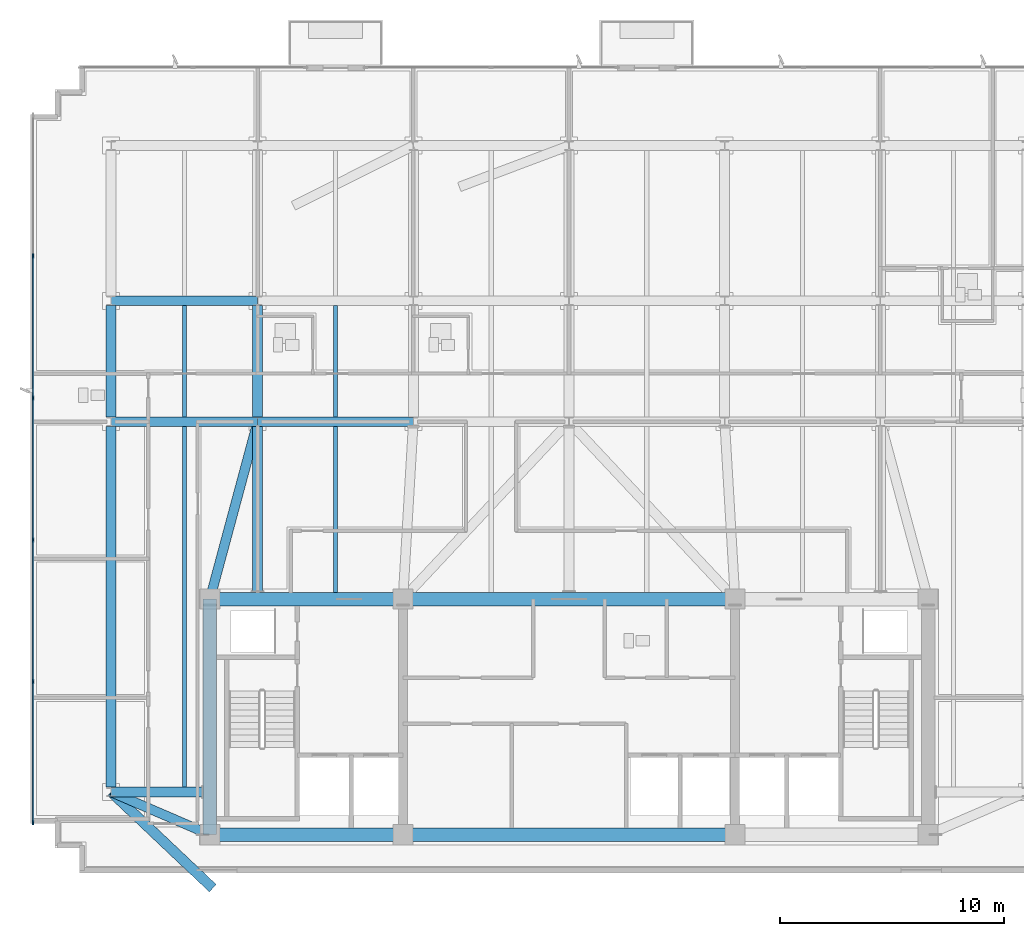
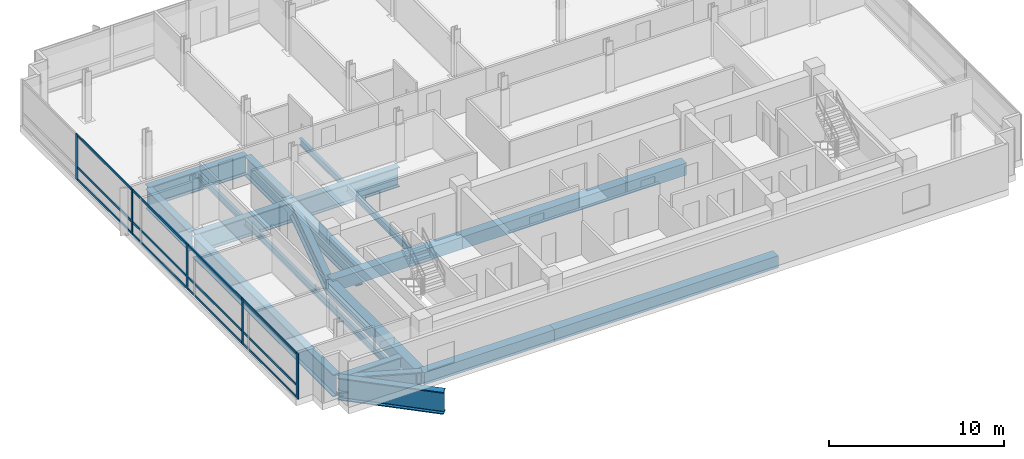
# One storey, part 2 of 16: 20 beams, 17 members, 1 element without a shape of its own.
"""IFC4 building model written with IfcOpenShell, lengths in metres."""

from ifc_helpers import new_model, si_unit, direction, frame, origin, origin_2d, place, context, subcontext, project, spatial, rectangle, i_section, extrude, material, material_profile, profile_set, type_object, element, aggregate, save


model = new_model("IFC4")

# Units and contexts
model_context = context("Model", 3, precision=1e-05, world=origin(), true_north=direction((0.0, 1.0)))
body_context = subcontext(model_context, "Body", "Model", "MODEL_VIEW")
ifc_project = project(units=[si_unit("LENGTHUNIT", "METRE"), si_unit("AREAUNIT", "SQUARE_METRE"), si_unit("VOLUMEUNIT", "CUBIC_METRE"), si_unit("PLANEANGLEUNIT", "RADIAN"), si_unit("MASSUNIT", "GRAM", prefix="KILO")], contexts=[model_context])

# Site, building, storey
site_placement = place(None, origin())
site = spatial("IfcSite", under=ifc_project, at=site_placement, CompositionType="ELEMENT")
building_placement = place(site_placement, origin())
building = spatial("IfcBuilding", under=site, at=building_placement, Name="Solmavex Isthmus Hotel", CompositionType="ELEMENT")
storey_placement = place(building_placement, frame((0.0, 0.0, 245.39990234375)))
storey = spatial("IfcBuildingStorey", under=building, at=storey_placement, Name="L66", CompositionType="ELEMENT", Elevation=245.39990234375)

# Beams
ifc_material_1 = material(Name="Steel ASTM A992 Grade 50", Category="steel")
ifc_material_profile_1 = material_profile(ifc_material_1, i_section(OverallWidth=0.1904296875, OverallDepth=0.456787109375, WebThickness=0.009033203125, FlangeThickness=0.014404296875, FilletRadius=0.0126953125, at=origin_2d()), Name="W18X50")
ifc_profile_set_1 = profile_set([ifc_material_profile_1], Name="Steel ASTM A992 Grade 50")
beam_type_1 = type_object("IfcBeamType", Name="BM-BJ-W18X50", PredefinedType="JOIST", material=ifc_profile_set_1)
beam_1_placement = place(storey_placement, frame((-17.135986328125, -10.8798828125, -0.678466796875), z_axis=(0.0, 1.0, 0.0), x_axis=(-1.0, 0.0, 0.0)))
element("IfcBeam", 1, at=beam_1_placement, inside=storey, type_object=beam_type_1, Name="Secondary Floor Joist L66-J01", PredefinedType="JOIST", context=body_context, shape_type="SweptSolid", body=[
    extrude(i_section(OverallWidth=0.1904296875, OverallDepth=0.456787109375, WebThickness=0.009033203125, FlangeThickness=0.014404296875, FilletRadius=0.0126953125, at=origin_2d()), origin(), (0.0, 0.0, 1.0), 16.059814453125),
])
beam_2_placement = place(storey_placement, frame((-17.135986328125, 5.6201171875, -0.678466796875), z_axis=(0.0, 1.0, 0.0), x_axis=(-1.0, 0.0, 0.0)))
element("IfcBeam", 2, at=beam_2_placement, inside=storey, type_object=beam_type_1, Name="Secondary Floor Joist L66-J02", PredefinedType="JOIST", context=body_context, shape_type="SweptSolid", body=[
    extrude(i_section(OverallWidth=0.1904296875, OverallDepth=0.456787109375, WebThickness=0.009033203125, FlangeThickness=0.014404296875, FilletRadius=0.0126953125, at=origin_2d()), origin(), (0.0, 0.0, 1.0), 4.947998046875),
])
beam_3_placement = place(storey_placement, frame((-10.404052734375, -2.199951171875, -0.678466796875), z_axis=(0.0, 1.0, 0.0), x_axis=(-1.0, 0.0, 0.0)))
element("IfcBeam", 3, at=beam_3_placement, inside=storey, type_object=beam_type_1, Name="Secondary Floor Joist L66-J04", PredefinedType="JOIST", context=body_context, shape_type="SweptSolid", body=[
    extrude(i_section(OverallWidth=0.1904296875, OverallDepth=0.456787109375, WebThickness=0.009033203125, FlangeThickness=0.014404296875, FilletRadius=0.0126953125, at=origin_2d()), origin(), (0.0, 0.0, 1.0), 7.3798828125),
])
beam_4_placement = place(storey_placement, frame((-10.404052734375, 5.6201171875, -0.678466796875), z_axis=(0.0, 1.0, 0.0), x_axis=(-1.0, 0.0, 0.0)))
element("IfcBeam", 4, at=beam_4_placement, inside=storey, type_object=beam_type_1, Name="Secondary Floor Joist L66-J05", PredefinedType="JOIST", context=body_context, shape_type="SweptSolid", body=[
    extrude(i_section(OverallWidth=0.1904296875, OverallDepth=0.456787109375, WebThickness=0.009033203125, FlangeThickness=0.014404296875, FilletRadius=0.0126953125, at=origin_2d()), origin(), (0.0, 0.0, 1.0), 4.947998046875),
])
ifc_material_2 = material(Name="Concrete C50/60", Category="concrete")
ifc_material_profile_2 = material_profile(ifc_material_2, rectangle(XDim=0.60009765625, YDim=0.85009765625, at=origin_2d()), Name="RC600X850")
ifc_profile_set_2 = profile_set([ifc_material_profile_2], Name="Concrete C50/60")
beam_type_2 = type_object("IfcBeamType", Name="BM-CB-600X850", PredefinedType="BEAM", material=ifc_profile_set_2)
beam_5_placement = place(storey_placement, frame((-16.0, -13.0, -0.875), z_axis=(1.0, 0.0, 0.0), x_axis=(0.0, 1.0, 0.0)))
element("IfcBeam", 5, at=beam_5_placement, inside=storey, type_object=beam_type_2, Name="Core Coupling Beam L66-CB1", PredefinedType="BEAM", context=body_context, shape_type="SweptSolid", body=[
    extrude(rectangle(XDim=0.60009765625, YDim=0.85009765625, at=origin_2d()), origin(), (0.0, 0.0, 1.0), 8.60009765625),
])
beam_6_placement = place(storey_placement, frame((-7.39990234375, -13.0, -0.875), z_axis=(1.0, 0.0, 0.0), x_axis=(0.0, 1.0, 0.0)))
element("IfcBeam", 6, at=beam_6_placement, inside=storey, type_object=beam_type_2, Name="Core Coupling Beam L66-CB2", PredefinedType="BEAM", context=body_context, shape_type="SweptSolid", body=[
    extrude(rectangle(XDim=0.60009765625, YDim=0.85009765625, at=origin_2d()), origin(), (0.0, 0.0, 1.0), 14.7998046875),
])
beam_7_placement = place(storey_placement, frame((-16.0, -2.5, -0.764892578125), z_axis=(1.0, 0.0, 0.0), x_axis=(0.0, 1.0, 0.0)))
element("IfcBeam", 7, at=beam_7_placement, inside=storey, type_object=beam_type_2, Name="Core Coupling Beam L66-CB4", PredefinedType="BEAM", context=body_context, shape_type="SweptSolid", body=[
    extrude(rectangle(XDim=0.60009765625, YDim=0.85009765625, at=origin_2d()), origin(), (0.0, 0.0, 1.0), 8.60009765625),
])
beam_8_placement = place(storey_placement, frame((-7.39990234375, -2.5, -0.764892578125), z_axis=(1.0, 0.0, 0.0), x_axis=(0.0, 1.0, 0.0)))
element("IfcBeam", 8, at=beam_8_placement, inside=storey, type_object=beam_type_2, Name="Core Coupling Beam L66-CB5", PredefinedType="BEAM", context=body_context, shape_type="SweptSolid", body=[
    extrude(rectangle(XDim=0.60009765625, YDim=0.85009765625, at=origin_2d()), origin(), (0.0, 0.0, 1.0), 14.7998046875),
])
beam_9_placement = place(storey_placement, frame((-16.0, -13.0, -0.875), z_axis=(0.0, 1.0, 0.0), x_axis=(-1.0, 0.0, 0.0)))
element("IfcBeam", 9, at=beam_9_placement, inside=storey, type_object=beam_type_2, Name="Core Coupling Beam L66-CB7", PredefinedType="BEAM", context=body_context, shape_type="SweptSolid", body=[
    extrude(rectangle(XDim=0.60009765625, YDim=0.85009765625, at=origin_2d()), origin(), (0.0, 0.0, 1.0), 10.5),
])
ifc_material_3 = material(Name="Steel ASTM A572 Grade 50", Category="steel")
ifc_material_profile_3 = material_profile(ifc_material_3, i_section(OverallWidth=0.449951171875, OverallDepth=1.550048828125, WebThickness=0.031982421875, FlangeThickness=0.06494140625, FilletRadius=0.030517578125, at=origin_2d()), Name="I1550X450")
ifc_profile_set_3 = profile_set([ifc_material_profile_3], Name="Steel ASTM A572 Grade 50")
beam_type_3 = type_object("IfcBeamType", Name="BM-TB-G1550", PredefinedType="BEAM", material=ifc_profile_set_3)
beam_10_placement = place(storey_placement, frame((-15.87255859375, -15.38330078125, -1.224853515625), z_axis=(-0.726421903158, 0.687249022271, 0.0), x_axis=(-0.687249022271, -0.726421903158, 0.0)))
element("IfcBeam", 10, at=beam_10_placement, inside=storey, type_object=beam_type_3, Name="Core Outrigger Strut L65-OTK1", PredefinedType="BEAM", context=body_context, shape_type="SweptSolid", body=[
    extrude(i_section(OverallWidth=0.449951171875, OverallDepth=1.550048828125, WebThickness=0.031982421875, FlangeThickness=0.06494140625, FilletRadius=0.030517578125, at=origin_2d()), origin(), (0.0, 0.0, 1.0), 6.232421875),
])
beam_11_placement = place(storey_placement, frame((-20.39990234375, -10.8798828125, -1.224853515625), z_axis=(0.0, 1.0, 0.0), x_axis=(-1.0, 0.0, 0.0)))
element("IfcBeam", 11, at=beam_11_placement, inside=storey, type_object=beam_type_3, Name="Outrigger Collector Beam L66-VG21", PredefinedType="BEAM", context=body_context, shape_type="SweptSolid", body=[
    extrude(i_section(OverallWidth=0.449951171875, OverallDepth=1.550048828125, WebThickness=0.031982421875, FlangeThickness=0.06494140625, FilletRadius=0.030517578125, at=origin_2d()), origin(), (0.0, 0.0, 1.0), 16.059814453125),
])
ifc_material_4 = material(Name="Steel ASTM A913 Grade 65", Category="steel")
ifc_material_profile_4 = material_profile(ifc_material_4, i_section(OverallWidth=0.42431640625, OverallDepth=1.09228515625, WebThickness=0.04541015625, FlangeThickness=0.08203125, FilletRadius=0.030517578125, at=origin_2d()), Name="W40X593")
ifc_profile_set_4 = profile_set([ifc_material_profile_4], Name="Steel ASTM A913 Grade 65")
beam_type_4 = type_object("IfcBeamType", Name="BM-TB-W40X397", PredefinedType="BEAM", material=ifc_profile_set_4)
beam_12_placement = place(storey_placement, frame((-16.0, -2.5, -0.99609375), z_axis=(0.260091187773, 0.965584058507, 0.0), x_axis=(-0.965584058507, 0.260091187773, 0.0)))
element("IfcBeam", 12, at=beam_12_placement, inside=storey, type_object=beam_type_4, Name="Core Outrigger Strut L65-OTNW", PredefinedType="BEAM", context=body_context, shape_type="SweptSolid", body=[
    extrude(i_section(OverallWidth=0.42431640625, OverallDepth=1.09228515625, WebThickness=0.04541015625, FlangeThickness=0.08203125, FilletRadius=0.030517578125, at=origin_2d()), origin(), (0.0, 0.0, 1.0), 8.181396484375),
])
beam_13_placement = place(storey_placement, frame((-16.0, -13.0, -0.99609375), z_axis=(-0.918066567186, 0.396426258231, 0.0), x_axis=(-0.396426258231, -0.918066567186, 0.0)))
element("IfcBeam", 13, at=beam_13_placement, inside=storey, type_object=beam_type_4, Name="Core Outrigger Strut L65-OTSW", PredefinedType="BEAM", context=body_context, shape_type="SweptSolid", body=[
    extrude(i_section(OverallWidth=0.42431640625, OverallDepth=1.09228515625, WebThickness=0.04541015625, FlangeThickness=0.08203125, FilletRadius=0.030517578125, at=origin_2d()), origin(), (0.0, 0.0, 1.0), 4.79248046875),
])
ifc_material_profile_5 = material_profile(ifc_material_3, i_section(OverallWidth=0.43994140625, OverallDepth=1.3798828125, WebThickness=0.030029296875, FlangeThickness=0.054931640625, FilletRadius=0.030517578125, at=origin_2d()), Name="I1380X440")
ifc_profile_set_5 = profile_set([ifc_material_profile_5], Name="Steel ASTM A572 Grade 50")
beam_type_5 = type_object("IfcBeamType", Name="BM-TG-I1380", PredefinedType="BEAM", material=ifc_profile_set_5)
beam_14_placement = place(storey_placement, frame((-20.39990234375, -11.10009765625, -1.139892578125), z_axis=(1.0, 0.0, 0.0), x_axis=(0.0, 1.0, 0.0)))
element("IfcBeam", 14, at=beam_14_placement, inside=storey, type_object=beam_type_5, Name="Outrigger Collector Girder L66-UG01", PredefinedType="BEAM", context=body_context, shape_type="SweptSolid", body=[
    extrude(i_section(OverallWidth=0.43994140625, OverallDepth=1.3798828125, WebThickness=0.030029296875, FlangeThickness=0.054931640625, FilletRadius=0.030517578125, at=origin_2d()), origin(), (0.0, 0.0, 1.0), 4.099853515625),
])
beam_15_placement = place(storey_placement, frame((-20.39990234375, 5.39990234375, -1.139892578125), z_axis=(1.0, 0.0, 0.0), x_axis=(0.0, 1.0, 0.0)))
element("IfcBeam", 15, at=beam_15_placement, inside=storey, type_object=beam_type_5, Name="Outrigger Collector Girder L66-UG03", PredefinedType="BEAM", context=body_context, shape_type="SweptSolid", body=[
    extrude(i_section(OverallWidth=0.43994140625, OverallDepth=1.3798828125, WebThickness=0.030029296875, FlangeThickness=0.054931640625, FilletRadius=0.030517578125, at=origin_2d()), origin(), (0.0, 0.0, 1.0), 6.52783203125),
])
beam_16_placement = place(storey_placement, frame((-13.8720703125, 5.39990234375, -1.139892578125), z_axis=(1.0, 0.0, 0.0), x_axis=(0.0, 1.0, 0.0)))
element("IfcBeam", 16, at=beam_16_placement, inside=storey, type_object=beam_type_5, Name="Outrigger Collector Girder L66-UG04", PredefinedType="BEAM", context=body_context, shape_type="SweptSolid", body=[
    extrude(i_section(OverallWidth=0.43994140625, OverallDepth=1.3798828125, WebThickness=0.030029296875, FlangeThickness=0.054931640625, FilletRadius=0.030517578125, at=origin_2d()), origin(), (0.0, 0.0, 1.0), 6.93603515625),
])
beam_17_placement = place(storey_placement, frame((-20.39990234375, 10.7880859375, -1.139892578125), z_axis=(1.0, 0.0, 0.0), x_axis=(0.0, 1.0, 0.0)))
element("IfcBeam", 17, at=beam_17_placement, inside=storey, type_object=beam_type_5, Name="Outrigger Collector Girder L66-UG09", PredefinedType="BEAM", context=body_context, shape_type="SweptSolid", body=[
    extrude(i_section(OverallWidth=0.43994140625, OverallDepth=1.3798828125, WebThickness=0.030029296875, FlangeThickness=0.054931640625, FilletRadius=0.030517578125, at=origin_2d()), origin(), (0.0, 0.0, 1.0), 6.52783203125),
])
beam_18_placement = place(storey_placement, frame((-20.39990234375, 5.6201171875, -1.139892578125), z_axis=(0.0, 1.0, 0.0), x_axis=(-1.0, 0.0, 0.0)))
element("IfcBeam", 18, at=beam_18_placement, inside=storey, type_object=beam_type_5, Name="Outrigger Collector Beam L66-VG22", PredefinedType="BEAM", context=body_context, shape_type="SweptSolid", body=[
    extrude(i_section(OverallWidth=0.43994140625, OverallDepth=1.3798828125, WebThickness=0.030029296875, FlangeThickness=0.054931640625, FilletRadius=0.030517578125, at=origin_2d()), origin(), (0.0, 0.0, 1.0), 4.947998046875),
])
beam_19_placement = place(storey_placement, frame((-13.8720703125, -2.199951171875, -1.139892578125), z_axis=(0.0, 1.0, 0.0), x_axis=(-1.0, 0.0, 0.0)))
element("IfcBeam", 19, at=beam_19_placement, inside=storey, type_object=beam_type_5, Name="Outrigger Collector Beam L66-VG24", PredefinedType="BEAM", context=body_context, shape_type="SweptSolid", body=[
    extrude(i_section(OverallWidth=0.43994140625, OverallDepth=1.3798828125, WebThickness=0.030029296875, FlangeThickness=0.054931640625, FilletRadius=0.030517578125, at=origin_2d()), origin(), (0.0, 0.0, 1.0), 7.3798828125),
])
beam_20_placement = place(storey_placement, frame((-13.8720703125, 5.6201171875, -1.139892578125), z_axis=(0.0, 1.0, 0.0), x_axis=(-1.0, 0.0, 0.0)))
element("IfcBeam", 20, at=beam_20_placement, inside=storey, type_object=beam_type_5, Name="Outrigger Collector Beam L66-VG25", PredefinedType="BEAM", context=body_context, shape_type="SweptSolid", body=[
    extrude(i_section(OverallWidth=0.43994140625, OverallDepth=1.3798828125, WebThickness=0.030029296875, FlangeThickness=0.054931640625, FilletRadius=0.030517578125, at=origin_2d()), origin(), (0.0, 0.0, 1.0), 4.947998046875),
])

# Curtain wall, members
ifc_material_5 = material(Name="Aluminium alloy 6063-T6", Category="aluminium")
curtain_wall_type = type_object("IfcCurtainWallType", Name="CW-SYS-04", PredefinedType="NOTDEFINED", material=ifc_material_5)
curtain_wall_placement = place(storey_placement, origin())
curtain_wall = element("IfcCurtainWall", 21, at=curtain_wall_placement, inside=storey, type_object=curtain_wall_type, Name="Stick Curtain Wall CWL-L66-W1", PredefinedType="NOTDEFINED")
ifc_material_profile_6 = material_profile(ifc_material_5, rectangle(XDim=0.074951171875, YDim=0.199951171875, at=origin_2d()), Name="CWM-75X200")
ifc_profile_set_6 = profile_set([ifc_material_profile_6], Name="Aluminium alloy 6063-T6")
member_type_1 = type_object("IfcMemberType", Name="CW-SYS-04-MUL", PredefinedType="MULLION", material=ifc_profile_set_6)
member_1_placement = place(storey_placement, frame((-23.8798828125, -12.46240234375, 0.0), z_axis=(0.0, 0.0, 1.0), x_axis=(-1.0, 0.0, 0.0)))
member_1 = element("IfcMember", 22, at=member_1_placement, type_object=member_type_1, Name="CW-04 mullion 1", PredefinedType="MULLION", context=body_context, shape_type="SweptSolid", body=[
    extrude(rectangle(XDim=0.074951171875, YDim=0.199951171875, at=origin_2d()), origin(), (0.0, 0.0, 1.0), 3.190185546875),
])
member_2_placement = place(storey_placement, frame((-23.8798828125, -6.179931640625, 0.0), z_axis=(0.0, 0.0, 1.0), x_axis=(-1.0, 0.0, 0.0)))
member_2 = element("IfcMember", 23, at=member_2_placement, type_object=member_type_1, Name="CW-04 mullion 2", PredefinedType="MULLION", context=body_context, shape_type="SweptSolid", body=[
    extrude(rectangle(XDim=0.074951171875, YDim=0.199951171875, at=origin_2d()), origin(), (0.0, 0.0, 1.0), 3.190185546875),
])
member_3_placement = place(storey_placement, frame((-23.8798828125, 0.139892578125, 0.0), z_axis=(0.0, 0.0, 1.0), x_axis=(-1.0, 0.0, 0.0)))
member_3 = element("IfcMember", 24, at=member_3_placement, type_object=member_type_1, Name="CW-04 mullion 3", PredefinedType="MULLION", context=body_context, shape_type="SweptSolid", body=[
    extrude(rectangle(XDim=0.074951171875, YDim=0.199951171875, at=origin_2d()), origin(), (0.0, 0.0, 1.0), 3.190185546875),
])
member_4_placement = place(storey_placement, frame((-23.8798828125, 6.4599609375, 0.0), z_axis=(0.0, 0.0, 1.0), x_axis=(-1.0, 0.0, 0.0)))
member_4 = element("IfcMember", 25, at=member_4_placement, type_object=member_type_1, Name="CW-04 mullion 4", PredefinedType="MULLION", context=body_context, shape_type="SweptSolid", body=[
    extrude(rectangle(XDim=0.074951171875, YDim=0.199951171875, at=origin_2d()), origin(), (0.0, 0.0, 1.0), 3.190185546875),
])
member_5_placement = place(storey_placement, frame((-23.8798828125, 12.780029296875, 0.0), z_axis=(0.0, 0.0, 1.0), x_axis=(-1.0, 0.0, 0.0)))
member_5 = element("IfcMember", 26, at=member_5_placement, type_object=member_type_1, Name="CW-04 mullion 5", PredefinedType="MULLION", context=body_context, shape_type="SweptSolid", body=[
    extrude(rectangle(XDim=0.074951171875, YDim=0.199951171875, at=origin_2d()), origin(), (0.0, 0.0, 1.0), 3.190185546875),
])
ifc_material_profile_7 = material_profile(ifc_material_5, rectangle(XDim=0.074951171875, YDim=0.14990234375, at=origin_2d()), Name="CWT-75X150")
ifc_profile_set_7 = profile_set([ifc_material_profile_7], Name="Aluminium alloy 6063-T6")
member_type_2 = type_object("IfcMemberType", Name="CW-SYS-04-TRN", PredefinedType="USERDEFINED", material=ifc_profile_set_7)
member_6_placement = place(storey_placement, frame((-23.8798828125, -12.425048828125, 0.0751953125), z_axis=(0.0, 1.0, 0.0), x_axis=(-1.0, 0.0, 0.0)))
member_6 = element("IfcMember", 27, at=member_6_placement, type_object=member_type_2, Name="CW-04 transom 1.1", ObjectType="TRANSOM", PredefinedType="USERDEFINED", context=body_context, shape_type="SweptSolid", body=[
    extrude(rectangle(XDim=0.074951171875, YDim=0.14990234375, at=origin_2d()), origin(), (0.0, 0.0, 1.0), 6.20751953125),
])
member_7_placement = place(storey_placement, frame((-23.8798828125, -12.425048828125, 0.900146484375), z_axis=(0.0, 1.0, 0.0), x_axis=(-1.0, 0.0, 0.0)))
member_7 = element("IfcMember", 28, at=member_7_placement, type_object=member_type_2, Name="CW-04 transom 1.2", ObjectType="TRANSOM", PredefinedType="USERDEFINED", context=body_context, shape_type="SweptSolid", body=[
    extrude(rectangle(XDim=0.074951171875, YDim=0.14990234375, at=origin_2d()), origin(), (0.0, 0.0, 1.0), 6.20751953125),
])
member_8_placement = place(storey_placement, frame((-23.8798828125, -12.425048828125, 3.114990234375), z_axis=(0.0, 1.0, 0.0), x_axis=(-1.0, 0.0, 0.0)))
member_8 = element("IfcMember", 29, at=member_8_placement, type_object=member_type_2, Name="CW-04 transom 1.3", ObjectType="TRANSOM", PredefinedType="USERDEFINED", context=body_context, shape_type="SweptSolid", body=[
    extrude(rectangle(XDim=0.074951171875, YDim=0.14990234375, at=origin_2d()), origin(), (0.0, 0.0, 1.0), 6.20751953125),
])
member_9_placement = place(storey_placement, frame((-23.8798828125, -6.142578125, 0.0751953125), z_axis=(0.0, 1.0, 0.0), x_axis=(-1.0, 0.0, 0.0)))
member_9 = element("IfcMember", 30, at=member_9_placement, type_object=member_type_2, Name="CW-04 transom 2.1", ObjectType="TRANSOM", PredefinedType="USERDEFINED", context=body_context, shape_type="SweptSolid", body=[
    extrude(rectangle(XDim=0.074951171875, YDim=0.14990234375, at=origin_2d()), origin(), (0.0, 0.0, 1.0), 6.2451171875),
])
member_10_placement = place(storey_placement, frame((-23.8798828125, -6.142578125, 0.900146484375), z_axis=(0.0, 1.0, 0.0), x_axis=(-1.0, 0.0, 0.0)))
member_10 = element("IfcMember", 31, at=member_10_placement, type_object=member_type_2, Name="CW-04 transom 2.2", ObjectType="TRANSOM", PredefinedType="USERDEFINED", context=body_context, shape_type="SweptSolid", body=[
    extrude(rectangle(XDim=0.074951171875, YDim=0.14990234375, at=origin_2d()), origin(), (0.0, 0.0, 1.0), 6.2451171875),
])
member_11_placement = place(storey_placement, frame((-23.8798828125, -6.142578125, 3.114990234375), z_axis=(0.0, 1.0, 0.0), x_axis=(-1.0, 0.0, 0.0)))
member_11 = element("IfcMember", 32, at=member_11_placement, type_object=member_type_2, Name="CW-04 transom 2.3", ObjectType="TRANSOM", PredefinedType="USERDEFINED", context=body_context, shape_type="SweptSolid", body=[
    extrude(rectangle(XDim=0.074951171875, YDim=0.14990234375, at=origin_2d()), origin(), (0.0, 0.0, 1.0), 6.2451171875),
])
member_12_placement = place(storey_placement, frame((-23.8798828125, 0.177490234375, 0.0751953125), z_axis=(0.0, 1.0, 0.0), x_axis=(-1.0, 0.0, 0.0)))
member_12 = element("IfcMember", 33, at=member_12_placement, type_object=member_type_2, Name="CW-04 transom 3.1", ObjectType="TRANSOM", PredefinedType="USERDEFINED", context=body_context, shape_type="SweptSolid", body=[
    extrude(rectangle(XDim=0.074951171875, YDim=0.14990234375, at=origin_2d()), origin(), (0.0, 0.0, 1.0), 6.2451171875),
])
member_13_placement = place(storey_placement, frame((-23.8798828125, 0.177490234375, 0.900146484375), z_axis=(0.0, 1.0, 0.0), x_axis=(-1.0, 0.0, 0.0)))
member_13 = element("IfcMember", 34, at=member_13_placement, type_object=member_type_2, Name="CW-04 transom 3.2", ObjectType="TRANSOM", PredefinedType="USERDEFINED", context=body_context, shape_type="SweptSolid", body=[
    extrude(rectangle(XDim=0.074951171875, YDim=0.14990234375, at=origin_2d()), origin(), (0.0, 0.0, 1.0), 6.2451171875),
])
member_14_placement = place(storey_placement, frame((-23.8798828125, 0.177490234375, 3.114990234375), z_axis=(0.0, 1.0, 0.0), x_axis=(-1.0, 0.0, 0.0)))
member_14 = element("IfcMember", 35, at=member_14_placement, type_object=member_type_2, Name="CW-04 transom 3.3", ObjectType="TRANSOM", PredefinedType="USERDEFINED", context=body_context, shape_type="SweptSolid", body=[
    extrude(rectangle(XDim=0.074951171875, YDim=0.14990234375, at=origin_2d()), origin(), (0.0, 0.0, 1.0), 6.2451171875),
])
member_15_placement = place(storey_placement, frame((-23.8798828125, 6.49755859375, 0.0751953125), z_axis=(0.0, 1.0, 0.0), x_axis=(-1.0, 0.0, 0.0)))
member_15 = element("IfcMember", 36, at=member_15_placement, type_object=member_type_2, Name="CW-04 transom 4.1", ObjectType="TRANSOM", PredefinedType="USERDEFINED", context=body_context, shape_type="SweptSolid", body=[
    extrude(rectangle(XDim=0.074951171875, YDim=0.14990234375, at=origin_2d()), origin(), (0.0, 0.0, 1.0), 6.244873046875),
])
member_16_placement = place(storey_placement, frame((-23.8798828125, 6.49755859375, 0.900146484375), z_axis=(0.0, 1.0, 0.0), x_axis=(-1.0, 0.0, 0.0)))
member_16 = element("IfcMember", 37, at=member_16_placement, type_object=member_type_2, Name="CW-04 transom 4.2", ObjectType="TRANSOM", PredefinedType="USERDEFINED", context=body_context, shape_type="SweptSolid", body=[
    extrude(rectangle(XDim=0.074951171875, YDim=0.14990234375, at=origin_2d()), origin(), (0.0, 0.0, 1.0), 6.244873046875),
])
member_17_placement = place(storey_placement, frame((-23.8798828125, 6.49755859375, 3.114990234375), z_axis=(0.0, 1.0, 0.0), x_axis=(-1.0, 0.0, 0.0)))
member_17 = element("IfcMember", 38, at=member_17_placement, type_object=member_type_2, Name="CW-04 transom 4.3", ObjectType="TRANSOM", PredefinedType="USERDEFINED", context=body_context, shape_type="SweptSolid", body=[
    extrude(rectangle(XDim=0.074951171875, YDim=0.14990234375, at=origin_2d()), origin(), (0.0, 0.0, 1.0), 6.244873046875),
])
aggregate(curtain_wall, [member_1, member_2, member_3, member_4, member_5, member_6, member_7, member_8, member_9, member_10, member_11, member_12, member_13, member_14, member_15, member_16, member_17])

save(model, "model.ifc")
